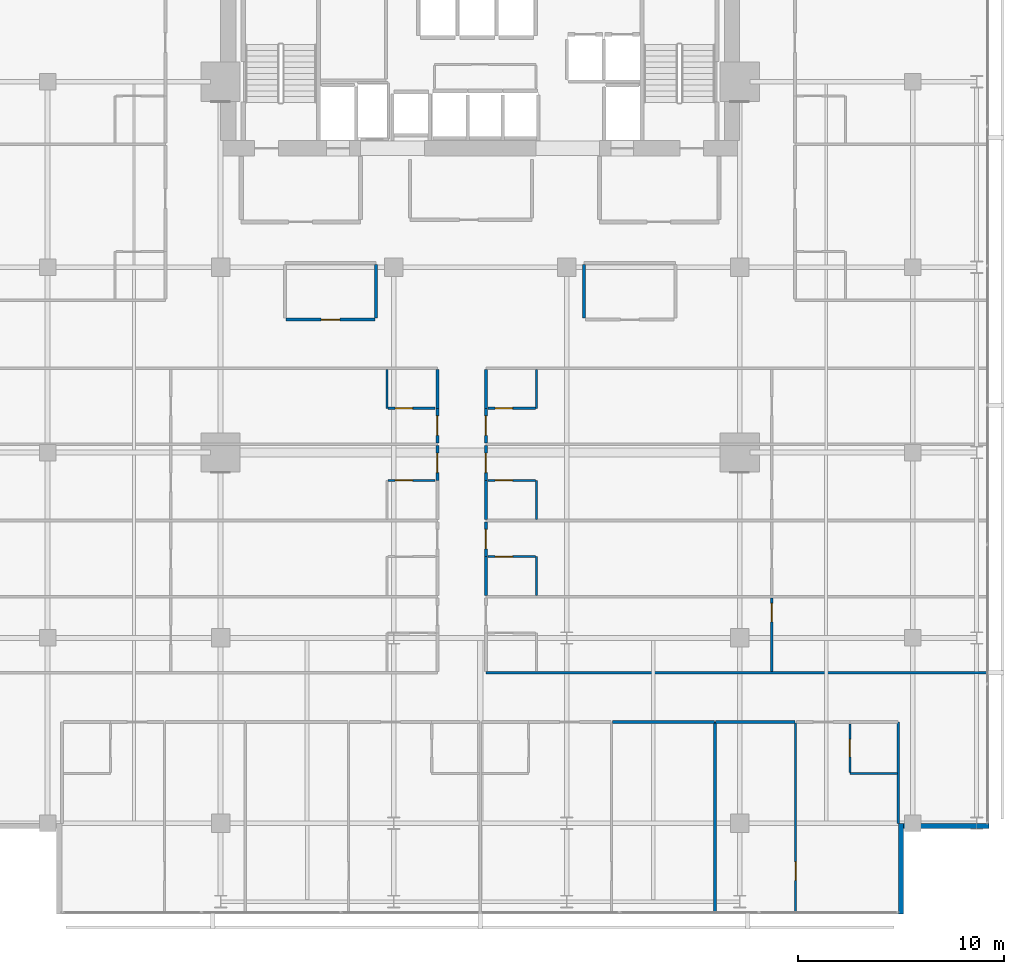
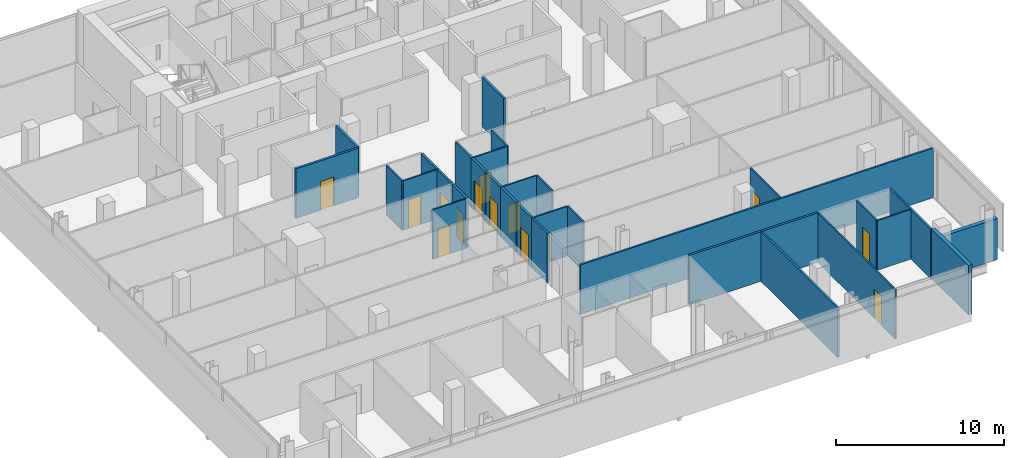
# One storey, part 28 of 34: 32 walls, 14 doors, 14 openings.
"""IFC4 building model written with IfcOpenShell, lengths in metres."""

import ifcopenshell
import ifcopenshell.guid

model = None  # the IFC model being written
_history = None  # IfcOwnerHistory: only IFC2X3 demands one
_inside = {}  # id of a spatial element -> (the spatial element, [elements in it])
_under = {}  # id of a project, library or spatial element -> (it, [spatial elements below it])
_declared = {}  # id of a project -> (the project, [libraries it declares])
_typed = {}  # id of a type object -> (the type object, [elements of that type])
_made_of = {}  # id of a material, layer set ... -> (it, [elements and type objects made of it])


def new_model(schema):
    """Start an empty IFC model of exactly this schema.

    Asked for "IFC4X3", IfcOpenShell would pick the latest addendum, in which some entities
    have other attributes; the version numbers below select the first issue.
    IFC2X3 requires an IfcOwnerHistory on every rooted entity: one is made here for all.
    """
    global model, _history
    if schema == "IFC4X3":
        model = ifcopenshell.file(schema_version=(4, 3, 0, 0))
    else:
        model = ifcopenshell.file(schema=schema)
    _inside.clear()
    _under.clear()
    _declared.clear()
    _typed.clear()
    _made_of.clear()
    _history = None
    if model.schema == "IFC2X3":
        org = make("IfcOrganization", Name="unknown")
        user = make(
            "IfcPersonAndOrganization",
            ThePerson=make("IfcPerson", FamilyName="unknown"),
            TheOrganization=org,
        )
        app = make(
            "IfcApplication",
            ApplicationDeveloper=org,
            Version="unknown",
            ApplicationFullName="unknown",
            ApplicationIdentifier="unknown",
        )
        _history = make(
            "IfcOwnerHistory",
            OwningUser=user,
            OwningApplication=app,
            ChangeAction="ADDED",
            CreationDate=0,
        )
    return model


def make(cls, **values):
    """One entity of the class cls with the attributes given. An attribute that is None is left unset."""
    return model.create_entity(
        cls, **{name: value for name, value in values.items() if value is not None}
    )


def rooted(cls, **values):
    """An entity with a GlobalId (a new one), such as an element, a storey or a relation."""
    return make(cls, GlobalId=ifcopenshell.guid.new(), OwnerHistory=_history, **values)


def si_unit(unit_type, name, prefix=None):
    """IfcSIUnit, for example si_unit("LENGTHUNIT", "METRE", prefix="MILLI")."""
    return make("IfcSIUnit", UnitType=unit_type, Prefix=prefix, Name=name)


def assignment(units):
    """IfcUnitAssignment: the units of a project."""
    return None if units is None else make("IfcUnitAssignment", Units=units)


def point(xyz):
    """IfcCartesianPoint."""
    return None if xyz is None else make("IfcCartesianPoint", Coordinates=xyz)


def direction(xyz):
    """IfcDirection."""
    return None if xyz is None else make("IfcDirection", DirectionRatios=xyz)


def frame(location, z_axis=None, x_axis=None):
    """IfcAxis2Placement3D, a coordinate frame: its origin and axes. An axis left out is left unset."""
    return make(
        "IfcAxis2Placement3D",
        Location=point(location),
        Axis=direction(z_axis),
        RefDirection=direction(x_axis),
    )


def frame_2d(location, x_axis=None):
    """IfcAxis2Placement2D, a coordinate frame in the plane: its origin and x axis."""
    return make(
        "IfcAxis2Placement2D", Location=point(location), RefDirection=direction(x_axis)
    )


def origin():
    """The frame at (0, 0, 0) with its axes left unset."""
    return frame((0.0, 0.0, 0.0))


def place(relative_to, where):
    """IfcLocalPlacement: puts the frame where relative to a parent placement (None: the world)."""
    return make(
        "IfcLocalPlacement", PlacementRelTo=relative_to, RelativePlacement=where
    )


def context(
    kind, dimensions, precision=None, world=None, true_north=None, identifier=None
):
    """IfcGeometricRepresentationContext, for example the 3D "Model" context."""
    return make(
        "IfcGeometricRepresentationContext",
        ContextIdentifier=identifier,
        ContextType=kind,
        CoordinateSpaceDimension=dimensions,
        Precision=precision,
        WorldCoordinateSystem=world,
        TrueNorth=true_north,
    )


def subcontext(parent, identifier, kind, view, scale=None):
    """IfcGeometricRepresentationSubContext, for example "Body" below "Model"."""
    return make(
        "IfcGeometricRepresentationSubContext",
        ContextIdentifier=identifier,
        ContextType=kind,
        ParentContext=parent,
        TargetScale=scale,
        TargetView=view,
    )


def project(units=None, contexts=None):
    """IfcProject with its units and contexts."""
    return rooted(
        "IfcProject",
        Name="project",
        RepresentationContexts=contexts,
        UnitsInContext=assignment(units),
    )


def spatial(cls, under=None, at=None, **own):
    """A site, building, storey or space (cls), placed at a placement, below another one or the project."""
    s = rooted(cls, ObjectPlacement=at, **own)
    if under is not None:
        _under.setdefault(under.id(), (under, []))[1].append(s)
    return s


def profile(cls, at=None, kind="AREA", **sizes):
    """A parametric profile (cls). Its sizes go by their IFC names, for example OverallWidth=200.0."""
    return make(cls, ProfileType=kind, Position=at, **sizes)


def rectangle(**sizes):
    """IfcRectangleProfileDef."""
    return profile("IfcRectangleProfileDef", **sizes)


def extrude(swept, where, along, depth):
    """IfcExtrudedAreaSolid: the profile swept, set in the frame where, extruded along a direction by depth."""
    return make(
        "IfcExtrudedAreaSolid",
        SweptArea=swept,
        Position=where,
        ExtrudedDirection=direction(along),
        Depth=depth,
    )


def shape(context_of_items, identifier, shape_type, items):
    """IfcShapeRepresentation: the items that make up one representation, for example the "Body"."""
    return make(
        "IfcShapeRepresentation",
        ContextOfItems=context_of_items,
        RepresentationIdentifier=identifier,
        RepresentationType=shape_type,
        Items=items,
    )


def material(Name=None, Category=None):
    """IfcMaterial."""
    return make("IfcMaterial", Name=Name, Category=Category)


def layer(
    of_material, thickness, ventilated=None, Name=None, Category=None, Priority=None
):
    """IfcMaterialLayer: one layer of a wall or slab, of a material (None: an air gap)."""
    return make(
        "IfcMaterialLayer",
        Material=of_material,
        LayerThickness=thickness,
        IsVentilated=ventilated,
        Name=Name,
        Category=Category,
        Priority=Priority,
    )


def layer_set(layers, Name=None):
    """IfcMaterialLayerSet."""
    return make("IfcMaterialLayerSet", MaterialLayers=layers, LayerSetName=Name)


def made_of(thing, what):
    """Note that an element or type object is made of a material, layer set ...; save() writes the relation."""
    if what is not None:
        _made_of.setdefault(what.id(), (what, []))[1].append(thing)
    return thing


def type_object(cls, material=None, **own):
    """A type object (cls), such as IfcWallType, which elements share."""
    return made_of(rooted(cls, **own), material)


def element(
    cls,
    number,
    at=None,
    inside=None,
    cuts=None,
    type_object=None,
    material=None,
    context=None,
    identifier="Body",
    shape_type=None,
    held_by="IfcProductDefinitionShape",
    body=None,
    shapes=None,
    **own,
):
    """One element of the class cls, such as IfcWall. Its Tag is "e" and its number.

    at: its placement. inside: the storey or other place that contains it. cuts: it is an
    opening in that element (IfcRelVoidsElement). A single representation is given by context,
    identifier, shape_type and body (its items); several are given by shapes. held_by: the class
    of the entity that holds the representations. save() writes the other relations.
    """
    e = rooted(cls, Tag="e%d" % number, ObjectPlacement=at, **own)
    if body is not None:
        shapes = [shape(context, identifier, shape_type, body)]
    if shapes is not None:
        e.Representation = make(held_by, Representations=shapes)
    if inside is not None:
        _inside.setdefault(inside.id(), (inside, []))[1].append(e)
    if cuts is not None:
        rooted(
            "IfcRelVoidsElement", RelatingBuildingElement=cuts, RelatedOpeningElement=e
        )
    if type_object is not None:
        _typed.setdefault(type_object.id(), (type_object, []))[1].append(e)
    return made_of(e, material)


def fill(opening, filler):
    """IfcRelFillsElement: the door or window that sits in an opening."""
    return rooted(
        "IfcRelFillsElement",
        RelatingOpeningElement=opening,
        RelatedBuildingElement=filler,
    )


def aggregate(whole, parts):
    """IfcRelAggregates: a whole, such as a stair, and the parts it consists of."""
    return rooted("IfcRelAggregates", RelatingObject=whole, RelatedObjects=parts)


def save(model, path):
    """Write the relations noted so far, then the file.

    IfcRelAggregates (storeys below a building ...), IfcRelContainedInSpatialStructure (elements
    in a storey), IfcRelDefinesByType, IfcRelAssociatesMaterial and IfcRelDeclares: one each for
    every whole, place, type object, material and project.
    """
    for whole, parts in _under.values():
        aggregate(whole, parts)
    for where, things in _inside.values():
        rooted(
            "IfcRelContainedInSpatialStructure",
            RelatedElements=things,
            RelatingStructure=where,
        )
    for kind, things in _typed.values():
        rooted("IfcRelDefinesByType", RelatedObjects=things, RelatingType=kind)
    for what, things in _made_of.values():
        rooted("IfcRelAssociatesMaterial", RelatedObjects=things, RelatingMaterial=what)
    for by, libraries in _declared.values():
        rooted("IfcRelDeclares", RelatingContext=by, RelatedDefinitions=libraries)
    model.write(path)


model = new_model("IFC4")

# Units and contexts
model_context = context("Model", 3, precision=1e-05, world=origin(), true_north=direction((0.0, 1.0)))
body_context = subcontext(model_context, "Body", "Model", "MODEL_VIEW")
ifc_project = project(units=[si_unit("LENGTHUNIT", "METRE"), si_unit("AREAUNIT", "SQUARE_METRE"), si_unit("VOLUMEUNIT", "CUBIC_METRE"), si_unit("PLANEANGLEUNIT", "RADIAN"), si_unit("MASSUNIT", "GRAM", prefix="KILO")], contexts=[model_context])

# Site, building, storey
site_placement = place(None, origin())
site = spatial("IfcSite", under=ifc_project, at=site_placement, CompositionType="ELEMENT")
building_placement = place(site_placement, origin())
building = spatial("IfcBuilding", under=site, at=building_placement, Name="Maruvema Waterfront Hotel and Observation Tower", CompositionType="ELEMENT")
storey_placement = place(building_placement, frame((0.0, 0.0, 185.14990234375)))
storey = spatial("IfcBuildingStorey", under=building, at=storey_placement, Name="L45", CompositionType="ELEMENT", Elevation=185.14990234375)

# Wall
ifc_material_1 = material(Name="Twin-stud acoustic gypsum drywall", Category="gypsum")
ifc_layer_1 = layer(ifc_material_1, 0.14990234375, Name="Acoustic Corridor and Suite Demising Wall 150 mm")
ifc_layer_set_1 = layer_set([ifc_layer_1], Name="Twin-stud acoustic gypsum drywall")
wall_type_1 = type_object("IfcWallType", Name="Acoustic Corridor and Suite Demising Wall 150 mm", PredefinedType="PARTITIONING", material=ifc_layer_set_1)
wall_1_placement = place(storey_placement, frame((32.75, 33.530029296875, 0.0), z_axis=(0.0, 0.0, 1.0), x_axis=(0.0, 1.0, 0.0)))
element("IfcWall", 1, at=wall_1_placement, inside=storey, type_object=wall_type_1, Name="L45 L45-M1 East Wall 023", PredefinedType="PARTITIONING", context=body_context, shape_type="SweptSolid", body=[
    extrude(rectangle(XDim=2.590087890625, YDim=0.14990234375, at=frame_2d((1.294921875, 0.0))), origin(), (0.0, 0.0, 1.0), 3.610107421875),
])

# Wall, opening, door
wall_2_placement = place(storey_placement, frame((28.3798828125, 33.449951171875, 0.0), z_axis=(0.0, 0.0, 1.0), x_axis=(1.0, 0.0, 0.0)))
wall_2 = element("IfcWall", 2, at=wall_2_placement, inside=storey, type_object=wall_type_1, Name="L45 L45-M1 Front 1 024", PredefinedType="PARTITIONING", context=body_context, shape_type="SweptSolid", body=[
    extrude(rectangle(XDim=4.31005859375, YDim=0.14990234375, at=frame_2d((2.155029296875, 0.0))), origin(), (0.0, 0.0, 1.0), 3.610107421875),
])
opening_1_placement = place(wall_2_placement, frame((1.705078125, 0.0, 0.0)))
opening_1 = element("IfcOpeningElement", 3, at=opening_1_placement, cuts=wall_2, Name="Opening DR-090", PredefinedType="OPENING", context=body_context, shape_type="SweptSolid", body=[
    extrude(rectangle(XDim=0.89990234375, YDim=2.10009765625, at=frame_2d((0.449951171875, 1.050048828125))), frame((0.0, 0.0849609375, 0.0), z_axis=(0.0, -1.0, 0.0), x_axis=(1.0, 0.0, 0.0)), (0.0, 0.0, 1.0), 0.169921875),
])
ifc_material_2 = material(Name="Solid-core lacquered timber leaf", Category="wood")
door_type_1 = type_object("IfcDoorType", Name="Accessible Toilet and Room Door 900x2100 mm", OperationType="NOTDEFINED", PredefinedType="DOOR", material=ifc_material_2)
door_1_placement = place(opening_1_placement, frame((0.89990234375, 0.0, 0.0), z_axis=(0.0, 0.0, 1.0), x_axis=(-1.0, 0.0, 0.0)))
door_1 = element("IfcDoor", 4, at=door_1_placement, inside=storey, type_object=door_type_1, Name="L45 Library Lounge 1 Door", OperationType="SINGLE_SWING_LEFT", OverallHeight=2.10009765625, OverallWidth=0.89990234375, PredefinedType="DOOR", context=body_context, shape_type="SweptSolid", body=[
    extrude(rectangle(XDim=0.89990234375, YDim=2.10009765625, at=frame_2d((0.449951171875, 1.050048828125))), frame((0.0, 0.02490234375, 0.0), z_axis=(0.0, -1.0, 0.0), x_axis=(1.0, 0.0, 0.0)), (0.0, 0.0, 1.0), 0.050048828125),
])
fill(opening_1, door_1)

# Walls
wall_3_placement = place(storey_placement, frame((42.85009765625, 33.530029296875, 0.0), z_axis=(0.0, 0.0, 1.0), x_axis=(0.0, 1.0, 0.0)))
element("IfcWall", 5, at=wall_3_placement, inside=storey, type_object=wall_type_1, Name="L45 L45-M2 West Wall 026", PredefinedType="PARTITIONING", context=body_context, shape_type="SweptSolid", body=[
    extrude(rectangle(XDim=2.590087890625, YDim=0.14990234375, at=frame_2d((1.294921875, 0.0))), origin(), (0.0, 0.0, 1.0), 3.610107421875),
])
wall_4_placement = place(storey_placement, frame((44.22412109375, 13.919921875, 0.0), z_axis=(0.0, 0.0, 1.0), x_axis=(1.0, 0.0, 0.0)))
element("IfcWall", 6, at=wall_4_placement, inside=storey, type_object=wall_type_1, Name="L45 Bedroom L45-S3 Back Wall 049", PredefinedType="PARTITIONING", context=body_context, shape_type="SweptSolid", body=[
    extrude(rectangle(XDim=4.955810546875, YDim=0.14990234375, at=frame_2d((2.47802734375, 0.0))), origin(), (0.0, 0.0, 1.0), 3.610107421875),
])
wall_5_placement = place(storey_placement, frame((49.219970703125, 13.919921875, 0.0), z_axis=(0.0, 0.0, 1.0), x_axis=(1.0, 0.0, 0.0)))
element("IfcWall", 7, at=wall_5_placement, inside=storey, type_object=wall_type_1, Name="L45 Bedroom L45-S4 Back Wall 055", PredefinedType="PARTITIONING", context=body_context, shape_type="SweptSolid", body=[
    extrude(rectangle(XDim=3.85595703125, YDim=0.14990234375, at=frame_2d((1.927978515625, 0.0))), origin(), (0.0, 0.0, 1.0), 3.610107421875),
])
wall_6_placement = place(storey_placement, frame((38.080078125, 20.06005859375, 0.0), z_axis=(0.0, 0.0, 1.0), x_axis=(0.0, 1.0, 0.0)))
element("IfcWall", 8, at=wall_6_placement, inside=storey, type_object=wall_type_1, Name="L45 Bath L45-E2 Wall 079", PredefinedType="PARTITIONING", context=body_context, shape_type="SweptSolid", body=[
    extrude(rectangle(XDim=1.889892578125, YDim=0.14990234375, at=frame_2d((0.94482421875, 0.0))), origin(), (0.0, 0.0, 1.0), 3.610107421875),
])

# Wall, opening, door
wall_7_placement = place(storey_placement, frame((38.080078125, 21.949951171875, 0.0), z_axis=(0.0, 0.0, 1.0), x_axis=(0.0, 1.0, 0.0)))
wall_7 = element("IfcWall", 9, at=wall_7_placement, inside=storey, type_object=wall_type_1, Name="L45 Room L45-E2 Corridor Wall 080", PredefinedType="PARTITIONING", context=body_context, shape_type="SweptSolid", body=[
    extrude(rectangle(XDim=1.68994140625, YDim=0.14990234375, at=frame_2d((0.844970703125, 0.0))), origin(), (0.0, 0.0, 1.0), 3.610107421875),
])
opening_2_placement = place(wall_7_placement, frame((0.3701171875, 0.0, 0.0)))
opening_2 = element("IfcOpeningElement", 10, at=opening_2_placement, cuts=wall_7, Name="Opening DR-095", PredefinedType="OPENING", context=body_context, shape_type="SweptSolid", body=[
    extrude(rectangle(XDim=0.949951171875, YDim=2.14990234375, at=frame_2d((0.47509765625, 1.074951171875))), frame((0.0, 0.0849609375, 0.0), z_axis=(0.0, -1.0, 0.0), x_axis=(1.0, 0.0, 0.0)), (0.0, 0.0, 1.0), 0.169921875),
])
ifc_material_3 = material(Name="Acoustic solid-core hardwood timber leaf", Category="wood")
door_type_2 = type_object("IfcDoorType", Name="Guestroom Entrance Fire Door 950x2150 mm", OperationType="NOTDEFINED", PredefinedType="DOOR", material=ifc_material_3)
door_2_placement = place(opening_2_placement, frame((0.949951171875, 0.0, 0.0), z_axis=(0.0, 0.0, 1.0), x_axis=(-1.0, 0.0, 0.0)))
door_2 = element("IfcDoor", 11, at=door_2_placement, inside=storey, type_object=door_type_2, Name="L45 Room L45-E2 Entrance Door", OperationType="SINGLE_SWING_LEFT", OverallHeight=2.14990234375, OverallWidth=0.949951171875, PredefinedType="DOOR", context=body_context, shape_type="SweptSolid", body=[
    extrude(rectangle(XDim=0.949951171875, YDim=2.14990234375, at=frame_2d((0.47509765625, 1.074951171875))), frame((0.0, 0.02490234375, 0.0), z_axis=(0.0, -1.0, 0.0), x_axis=(1.0, 0.0, 0.0)), (0.0, 0.0, 1.0), 0.050048828125),
])
fill(opening_2, door_2)

wall_8_placement = place(storey_placement, frame((35.719970703125, 25.64990234375, 0.0), z_axis=(0.0, 0.0, 1.0), x_axis=(0.0, 1.0, 0.0)))
wall_8 = element("IfcWall", 12, at=wall_8_placement, inside=storey, type_object=wall_type_1, Name="L45 Room L45-W3 Corridor Wall 087", PredefinedType="PARTITIONING", context=body_context, shape_type="SweptSolid", body=[
    extrude(rectangle(XDim=1.690185546875, YDim=0.14990234375, at=frame_2d((0.84521484375, 0.0))), origin(), (0.0, 0.0, 1.0), 3.610107421875),
])
opening_3_placement = place(wall_8_placement, frame((0.3701171875, 0.0, 0.0)))
opening_3 = element("IfcOpeningElement", 13, at=opening_3_placement, cuts=wall_8, Name="Opening DR-095", PredefinedType="OPENING", context=body_context, shape_type="SweptSolid", body=[
    extrude(rectangle(XDim=0.949951171875, YDim=2.14990234375, at=frame_2d((0.47509765625, 1.074951171875))), frame((0.0, 0.0849609375, 0.0), z_axis=(0.0, -1.0, 0.0), x_axis=(1.0, 0.0, 0.0)), (0.0, 0.0, 1.0), 0.169921875),
])
door_3_placement = place(opening_3_placement, origin())
door_3 = element("IfcDoor", 14, at=door_3_placement, inside=storey, type_object=door_type_2, Name="L45 Room L45-W3 Entrance Door", OperationType="SINGLE_SWING_RIGHT", OverallHeight=2.14990234375, OverallWidth=0.949951171875, PredefinedType="DOOR", context=body_context, shape_type="SweptSolid", body=[
    extrude(rectangle(XDim=0.949951171875, YDim=2.14990234375, at=frame_2d((0.47509765625, 1.074951171875))), frame((0.0, 0.02490234375, 0.0), z_axis=(0.0, -1.0, 0.0), x_axis=(1.0, 0.0, 0.0)), (0.0, 0.0, 1.0), 0.050048828125),
])
fill(opening_3, door_3)

# Wall
wall_9_placement = place(storey_placement, frame((38.080078125, 23.760009765625, 0.0), z_axis=(0.0, 0.0, 1.0), x_axis=(0.0, 1.0, 0.0)))
element("IfcWall", 15, at=wall_9_placement, inside=storey, type_object=wall_type_1, Name="L45 Bath L45-E3 Wall 091", PredefinedType="PARTITIONING", context=body_context, shape_type="SweptSolid", body=[
    extrude(rectangle(XDim=1.889892578125, YDim=0.14990234375, at=frame_2d((0.94482421875, 0.0))), origin(), (0.0, 0.0, 1.0), 3.610107421875),
])

# Wall, opening, door
wall_10_placement = place(storey_placement, frame((38.080078125, 25.64990234375, 0.0), z_axis=(0.0, 0.0, 1.0), x_axis=(0.0, 1.0, 0.0)))
wall_10 = element("IfcWall", 16, at=wall_10_placement, inside=storey, type_object=wall_type_1, Name="L45 Room L45-E3 Corridor Wall 092", PredefinedType="PARTITIONING", context=body_context, shape_type="SweptSolid", body=[
    extrude(rectangle(XDim=1.690185546875, YDim=0.14990234375, at=frame_2d((0.84521484375, 0.0))), origin(), (0.0, 0.0, 1.0), 3.610107421875),
])
opening_4_placement = place(wall_10_placement, frame((0.3701171875, 0.0, 0.0)))
opening_4 = element("IfcOpeningElement", 17, at=opening_4_placement, cuts=wall_10, Name="Opening DR-095", PredefinedType="OPENING", context=body_context, shape_type="SweptSolid", body=[
    extrude(rectangle(XDim=0.949951171875, YDim=2.14990234375, at=frame_2d((0.47509765625, 1.074951171875))), frame((0.0, 0.0849609375, 0.0), z_axis=(0.0, -1.0, 0.0), x_axis=(1.0, 0.0, 0.0)), (0.0, 0.0, 1.0), 0.169921875),
])
door_4_placement = place(opening_4_placement, frame((0.949951171875, 0.0, 0.0), z_axis=(0.0, 0.0, 1.0), x_axis=(-1.0, 0.0, 0.0)))
door_4 = element("IfcDoor", 18, at=door_4_placement, inside=storey, type_object=door_type_2, Name="L45 Room L45-E3 Entrance Door", OperationType="SINGLE_SWING_LEFT", OverallHeight=2.14990234375, OverallWidth=0.949951171875, PredefinedType="DOOR", context=body_context, shape_type="SweptSolid", body=[
    extrude(rectangle(XDim=0.949951171875, YDim=2.14990234375, at=frame_2d((0.47509765625, 1.074951171875))), frame((0.0, 0.02490234375, 0.0), z_axis=(0.0, -1.0, 0.0), x_axis=(1.0, 0.0, 0.0)), (0.0, 0.0, 1.0), 0.050048828125),
])
fill(opening_4, door_4)

wall_11_placement = place(storey_placement, frame((35.719970703125, 27.4599609375, 0.0), z_axis=(0.0, 0.0, 1.0), x_axis=(0.0, 1.0, 0.0)))
wall_11 = element("IfcWall", 19, at=wall_11_placement, inside=storey, type_object=wall_type_1, Name="L45 Room L45-W4 Corridor Wall 098", PredefinedType="PARTITIONING", context=body_context, shape_type="SweptSolid", body=[
    extrude(rectangle(XDim=1.68994140625, YDim=0.14990234375, at=frame_2d((0.844970703125, 0.0))), origin(), (0.0, 0.0, 1.0), 3.610107421875),
])
opening_5_placement = place(wall_11_placement, frame((0.3701171875, 0.0, 0.0)))
opening_5 = element("IfcOpeningElement", 20, at=opening_5_placement, cuts=wall_11, Name="Opening DR-095", PredefinedType="OPENING", context=body_context, shape_type="SweptSolid", body=[
    extrude(rectangle(XDim=0.949951171875, YDim=2.14990234375, at=frame_2d((0.47509765625, 1.074951171875))), frame((0.0, 0.0849609375, 0.0), z_axis=(0.0, -1.0, 0.0), x_axis=(1.0, 0.0, 0.0)), (0.0, 0.0, 1.0), 0.169921875),
])
door_5_placement = place(opening_5_placement, origin())
door_5 = element("IfcDoor", 21, at=door_5_placement, inside=storey, type_object=door_type_2, Name="L45 Room L45-W4 Entrance Door", OperationType="SINGLE_SWING_RIGHT", OverallHeight=2.14990234375, OverallWidth=0.949951171875, PredefinedType="DOOR", context=body_context, shape_type="SweptSolid", body=[
    extrude(rectangle(XDim=0.949951171875, YDim=2.14990234375, at=frame_2d((0.47509765625, 1.074951171875))), frame((0.0, 0.02490234375, 0.0), z_axis=(0.0, -1.0, 0.0), x_axis=(1.0, 0.0, 0.0)), (0.0, 0.0, 1.0), 0.050048828125),
])
fill(opening_5, door_5)

# Wall
wall_12_placement = place(storey_placement, frame((35.719970703125, 29.14990234375, 0.0), z_axis=(0.0, 0.0, 1.0), x_axis=(0.0, 1.0, 0.0)))
element("IfcWall", 22, at=wall_12_placement, inside=storey, type_object=wall_type_1, Name="L45 Bath L45-W4 Wall 099", PredefinedType="PARTITIONING", context=body_context, shape_type="SweptSolid", body=[
    extrude(rectangle(XDim=1.89013671875, YDim=0.14990234375, at=frame_2d((0.945068359375, 0.0))), origin(), (0.0, 0.0, 1.0), 3.610107421875),
])

# Wall, opening, door
wall_13_placement = place(storey_placement, frame((38.080078125, 27.4599609375, 0.0), z_axis=(0.0, 0.0, 1.0), x_axis=(0.0, 1.0, 0.0)))
wall_13 = element("IfcWall", 23, at=wall_13_placement, inside=storey, type_object=wall_type_1, Name="L45 Room L45-E4 Corridor Wall 103", PredefinedType="PARTITIONING", context=body_context, shape_type="SweptSolid", body=[
    extrude(rectangle(XDim=1.68994140625, YDim=0.14990234375, at=frame_2d((0.844970703125, 0.0))), origin(), (0.0, 0.0, 1.0), 3.610107421875),
])
opening_6_placement = place(wall_13_placement, frame((0.3701171875, 0.0, 0.0)))
opening_6 = element("IfcOpeningElement", 24, at=opening_6_placement, cuts=wall_13, Name="Opening DR-095", PredefinedType="OPENING", context=body_context, shape_type="SweptSolid", body=[
    extrude(rectangle(XDim=0.949951171875, YDim=2.14990234375, at=frame_2d((0.47509765625, 1.074951171875))), frame((0.0, 0.0849609375, 0.0), z_axis=(0.0, -1.0, 0.0), x_axis=(1.0, 0.0, 0.0)), (0.0, 0.0, 1.0), 0.169921875),
])
door_6_placement = place(opening_6_placement, frame((0.949951171875, 0.0, 0.0), z_axis=(0.0, 0.0, 1.0), x_axis=(-1.0, 0.0, 0.0)))
door_6 = element("IfcDoor", 25, at=door_6_placement, inside=storey, type_object=door_type_2, Name="L45 Room L45-E4 Entrance Door", OperationType="SINGLE_SWING_LEFT", OverallHeight=2.14990234375, OverallWidth=0.949951171875, PredefinedType="DOOR", context=body_context, shape_type="SweptSolid", body=[
    extrude(rectangle(XDim=0.949951171875, YDim=2.14990234375, at=frame_2d((0.47509765625, 1.074951171875))), frame((0.0, 0.02490234375, 0.0), z_axis=(0.0, -1.0, 0.0), x_axis=(1.0, 0.0, 0.0)), (0.0, 0.0, 1.0), 0.050048828125),
])
fill(opening_6, door_6)

# Walls
wall_14_placement = place(storey_placement, frame((38.080078125, 29.14990234375, 0.0), z_axis=(0.0, 0.0, 1.0), x_axis=(0.0, 1.0, 0.0)))
element("IfcWall", 26, at=wall_14_placement, inside=storey, type_object=wall_type_1, Name="L45 Bath L45-E4 Wall 104", PredefinedType="PARTITIONING", context=body_context, shape_type="SweptSolid", body=[
    extrude(rectangle(XDim=1.89013671875, YDim=0.14990234375, at=frame_2d((0.945068359375, 0.0))), origin(), (0.0, 0.0, 1.0), 3.610107421875),
])
ifc_material_4 = material(Name="Moisture-resistant cement-board drywall", Category="gypsum")
ifc_layer_2 = layer(ifc_material_4, 0.10009765625, Name="En-Suite Moisture-Resistant Partition 100 mm")
ifc_layer_set_2 = layer_set([ifc_layer_2], Name="Moisture-resistant cement-board drywall")
wall_type_2 = type_object("IfcWallType", Name="En-Suite Moisture-Resistant Partition 100 mm", PredefinedType="PARTITIONING", material=ifc_layer_set_2)
wall_15_placement = place(storey_placement, frame((55.75, 11.419921875, 0.0), z_axis=(0.0, 0.0, 1.0), x_axis=(1.0, 0.0, 0.0)))
element("IfcWall", 27, at=wall_15_placement, inside=storey, type_object=wall_type_2, Name="L45 En-Suite L45-S4 South 053", PredefinedType="PARTITIONING", context=body_context, shape_type="SweptSolid", body=[
    extrude(rectangle(XDim=2.31005859375, YDim=0.10009765625, at=frame_2d((1.155029296875, 0.0))), origin(), (0.0, 0.0, 1.0), 3.610107421875),
])

# Wall, opening, door
wall_16_placement = place(storey_placement, frame((55.75, 11.47998046875, 0.0), z_axis=(0.0, 0.0, 1.0), x_axis=(0.0, 1.0, 0.0)))
wall_16 = element("IfcWall", 28, at=wall_16_placement, inside=storey, type_object=wall_type_2, Name="L45 En-Suite L45-S4 West 054", PredefinedType="PARTITIONING", context=body_context, shape_type="SweptSolid", body=[
    extrude(rectangle(XDim=2.340087890625, YDim=0.10009765625, at=frame_2d((1.169921875, 0.0))), origin(), (0.0, 0.0, 1.0), 3.610107421875),
])
opening_7_placement = place(wall_16_placement, frame((0.7451171875, 0.0, 0.0)))
opening_7 = element("IfcOpeningElement", 29, at=opening_7_placement, cuts=wall_16, Name="Opening DR-085", PredefinedType="OPENING", context=body_context, shape_type="SweptSolid", body=[
    extrude(rectangle(XDim=0.85009765625, YDim=2.10009765625, at=frame_2d((0.425048828125, 1.050048828125))), frame((0.0, 0.06005859375, 0.0), z_axis=(0.0, -1.0, 0.0), x_axis=(1.0, 0.0, 0.0)), (0.0, 0.0, 1.0), 0.1201171875),
])
ifc_material_5 = material(Name="Moisture-resistant solid timber leaf", Category="wood")
door_type_3 = type_object("IfcDoorType", Name="En-Suite Bathroom Door 850x2100 mm", OperationType="NOTDEFINED", PredefinedType="DOOR", material=ifc_material_5)
door_7_placement = place(opening_7_placement, origin())
door_7 = element("IfcDoor", 30, at=door_7_placement, inside=storey, type_object=door_type_3, Name="L45 En-Suite L45-S4 Door", OperationType="SINGLE_SWING_RIGHT", OverallHeight=2.10009765625, OverallWidth=0.85009765625, PredefinedType="DOOR", context=body_context, shape_type="SweptSolid", body=[
    extrude(rectangle(XDim=0.85009765625, YDim=2.10009765625, at=frame_2d((0.425048828125, 1.050048828125))), frame((0.0, 0.02490234375, 0.0), z_axis=(0.0, -1.0, 0.0), x_axis=(1.0, 0.0, 0.0)), (0.0, 0.0, 1.0), 0.050048828125),
])
fill(opening_7, door_7)

wall_17_placement = place(storey_placement, frame((53.115966796875, 4.6298828125, 0.0), z_axis=(0.0, 0.0, 1.0), x_axis=(0.0, 1.0, 0.0)))
wall_17 = element("IfcWall", 31, at=wall_17_placement, inside=storey, type_object=wall_type_2, Name="L45 Suite L45-S4 Split 057", PredefinedType="PARTITIONING", context=body_context, shape_type="SweptSolid", body=[
    extrude(rectangle(XDim=9.230224609375, YDim=0.10009765625, at=frame_2d((4.615234375, 0.0))), origin(), (0.0, 0.0, 1.0), 3.610107421875),
])
opening_8_placement = place(wall_17_placement, frame((1.60009765625, 0.0, 0.0)))
opening_8 = element("IfcOpeningElement", 32, at=opening_8_placement, cuts=wall_17, Name="Opening DR-090", PredefinedType="OPENING", context=body_context, shape_type="SweptSolid", body=[
    extrude(rectangle(XDim=0.89990234375, YDim=2.10009765625, at=frame_2d((0.449951171875, 1.050048828125))), frame((0.0, 0.06005859375, 0.0), z_axis=(0.0, -1.0, 0.0), x_axis=(1.0, 0.0, 0.0)), (0.0, 0.0, 1.0), 0.1201171875),
])
door_8_placement = place(opening_8_placement, frame((0.89990234375, 0.0, 0.0), z_axis=(0.0, 0.0, 1.0), x_axis=(-1.0, 0.0, 0.0)))
door_8 = element("IfcDoor", 33, at=door_8_placement, inside=storey, type_object=door_type_1, Name="L45 Suite L45-S4 Bedroom Door", OperationType="SINGLE_SWING_RIGHT", OverallHeight=2.10009765625, OverallWidth=0.89990234375, PredefinedType="DOOR", context=body_context, shape_type="SweptSolid", body=[
    extrude(rectangle(XDim=0.89990234375, YDim=2.10009765625, at=frame_2d((0.449951171875, 1.050048828125))), frame((0.0, 0.02490234375, 0.0), z_axis=(0.0, -1.0, 0.0), x_axis=(1.0, 0.0, 0.0)), (0.0, 0.0, 1.0), 0.050048828125),
])
fill(opening_8, door_8)

wall_18_placement = place(storey_placement, frame((51.954345703125, 16.360107421875, 0.0), z_axis=(0.0, 0.0, 1.0), x_axis=(0.0, 1.0, 0.0)))
wall_18 = element("IfcWall", 34, at=wall_18_placement, inside=storey, type_object=wall_type_2, Name="L45 Suite L45-E1 Split 071", PredefinedType="PARTITIONING", context=body_context, shape_type="SweptSolid", body=[
    extrude(rectangle(XDim=3.579833984375, YDim=0.10009765625, at=frame_2d((1.7900390625, 0.0))), origin(), (0.0, 0.0, 1.0), 3.610107421875),
])
opening_9_placement = place(wall_18_placement, frame((2.419921875, 0.0, 0.0)))
opening_9 = element("IfcOpeningElement", 35, at=opening_9_placement, cuts=wall_18, Name="Opening DR-090", PredefinedType="OPENING", context=body_context, shape_type="SweptSolid", body=[
    extrude(rectangle(XDim=0.89990234375, YDim=2.10009765625, at=frame_2d((0.449951171875, 1.050048828125))), frame((0.0, 0.06005859375, 0.0), z_axis=(0.0, -1.0, 0.0), x_axis=(1.0, 0.0, 0.0)), (0.0, 0.0, 1.0), 0.1201171875),
])
door_9_placement = place(opening_9_placement, frame((0.89990234375, 0.0, 0.0), z_axis=(0.0, 0.0, 1.0), x_axis=(-1.0, 0.0, 0.0)))
door_9 = element("IfcDoor", 36, at=door_9_placement, inside=storey, type_object=door_type_1, Name="L45 Suite L45-E1 Bedroom Door", OperationType="SINGLE_SWING_RIGHT", OverallHeight=2.10009765625, OverallWidth=0.89990234375, PredefinedType="DOOR", context=body_context, shape_type="SweptSolid", body=[
    extrude(rectangle(XDim=0.89990234375, YDim=2.10009765625, at=frame_2d((0.449951171875, 1.050048828125))), frame((0.0, 0.02490234375, 0.0), z_axis=(0.0, -1.0, 0.0), x_axis=(1.0, 0.0, 0.0)), (0.0, 0.0, 1.0), 0.050048828125),
])
fill(opening_9, door_9)

# Wall
wall_19_placement = place(storey_placement, frame((40.530029296875, 20.06005859375, 0.0), z_axis=(0.0, 0.0, 1.0), x_axis=(0.0, 1.0, 0.0)))
element("IfcWall", 37, at=wall_19_placement, inside=storey, type_object=wall_type_2, Name="L45 En-Suite L45-E2 E 081", PredefinedType="PARTITIONING", context=body_context, shape_type="SweptSolid", body=[
    extrude(rectangle(XDim=1.889892578125, YDim=0.10009765625, at=frame_2d((0.94482421875, 0.0))), origin(), (0.0, 0.0, 1.0), 3.610107421875),
])

# Wall, opening, door
wall_20_placement = place(storey_placement, frame((38.179931640625, 21.949951171875, 0.0), z_axis=(0.0, 0.0, 1.0), x_axis=(1.0, 0.0, 0.0)))
wall_20 = element("IfcWall", 38, at=wall_20_placement, inside=storey, type_object=wall_type_2, Name="L45 En-Suite L45-E2 N 082", PredefinedType="PARTITIONING", context=body_context, shape_type="SweptSolid", body=[
    extrude(rectangle(XDim=2.300048828125, YDim=0.10009765625, at=frame_2d((1.14990234375, 0.0))), origin(), (0.0, 0.0, 1.0), 3.610107421875),
])
opening_10_placement = place(wall_20_placement, frame((0.35009765625, 0.0, 0.0)))
opening_10 = element("IfcOpeningElement", 39, at=opening_10_placement, cuts=wall_20, Name="Opening DR-085", PredefinedType="OPENING", context=body_context, shape_type="SweptSolid", body=[
    extrude(rectangle(XDim=0.85009765625, YDim=2.10009765625, at=frame_2d((0.425048828125, 1.050048828125))), frame((0.0, 0.06005859375, 0.0), z_axis=(0.0, -1.0, 0.0), x_axis=(1.0, 0.0, 0.0)), (0.0, 0.0, 1.0), 0.1201171875),
])
door_10_placement = place(opening_10_placement, origin())
door_10 = element("IfcDoor", 40, at=door_10_placement, inside=storey, type_object=door_type_3, Name="L45 En-Suite L45-E2 Door", OperationType="SINGLE_SWING_RIGHT", OverallHeight=2.10009765625, OverallWidth=0.85009765625, PredefinedType="DOOR", context=body_context, shape_type="SweptSolid", body=[
    extrude(rectangle(XDim=0.85009765625, YDim=2.10009765625, at=frame_2d((0.425048828125, 1.050048828125))), frame((0.0, 0.02490234375, 0.0), z_axis=(0.0, -1.0, 0.0), x_axis=(1.0, 0.0, 0.0)), (0.0, 0.0, 1.0), 0.050048828125),
])
fill(opening_10, door_10)

wall_21_placement = place(storey_placement, frame((33.320068359375, 25.64990234375, 0.0), z_axis=(0.0, 0.0, 1.0), x_axis=(1.0, 0.0, 0.0)))
wall_21 = element("IfcWall", 41, at=wall_21_placement, inside=storey, type_object=wall_type_2, Name="L45 En-Suite L45-W3 N 089", PredefinedType="PARTITIONING", context=body_context, shape_type="SweptSolid", body=[
    extrude(rectangle(XDim=2.300048828125, YDim=0.10009765625, at=frame_2d((1.14990234375, 0.0))), origin(), (0.0, 0.0, 1.0), 3.610107421875),
])
opening_11_placement = place(wall_21_placement, frame((0.35009765625, 0.0, 0.0)))
opening_11 = element("IfcOpeningElement", 42, at=opening_11_placement, cuts=wall_21, Name="Opening DR-085", PredefinedType="OPENING", context=body_context, shape_type="SweptSolid", body=[
    extrude(rectangle(XDim=0.85009765625, YDim=2.10009765625, at=frame_2d((0.425048828125, 1.050048828125))), frame((0.0, 0.06005859375, 0.0), z_axis=(0.0, -1.0, 0.0), x_axis=(1.0, 0.0, 0.0)), (0.0, 0.0, 1.0), 0.1201171875),
])
door_11_placement = place(opening_11_placement, origin())
door_11 = element("IfcDoor", 43, at=door_11_placement, inside=storey, type_object=door_type_3, Name="L45 En-Suite L45-W3 Door", OperationType="SINGLE_SWING_LEFT", OverallHeight=2.10009765625, OverallWidth=0.85009765625, PredefinedType="DOOR", context=body_context, shape_type="SweptSolid", body=[
    extrude(rectangle(XDim=0.85009765625, YDim=2.10009765625, at=frame_2d((0.425048828125, 1.050048828125))), frame((0.0, 0.02490234375, 0.0), z_axis=(0.0, -1.0, 0.0), x_axis=(1.0, 0.0, 0.0)), (0.0, 0.0, 1.0), 0.050048828125),
])
fill(opening_11, door_11)

# Wall
wall_22_placement = place(storey_placement, frame((40.530029296875, 23.760009765625, 0.0), z_axis=(0.0, 0.0, 1.0), x_axis=(0.0, 1.0, 0.0)))
element("IfcWall", 44, at=wall_22_placement, inside=storey, type_object=wall_type_2, Name="L45 En-Suite L45-E3 E 093", PredefinedType="PARTITIONING", context=body_context, shape_type="SweptSolid", body=[
    extrude(rectangle(XDim=1.889892578125, YDim=0.10009765625, at=frame_2d((0.94482421875, 0.0))), origin(), (0.0, 0.0, 1.0), 3.610107421875),
])

# Wall, opening, door
wall_23_placement = place(storey_placement, frame((38.179931640625, 25.64990234375, 0.0), z_axis=(0.0, 0.0, 1.0), x_axis=(1.0, 0.0, 0.0)))
wall_23 = element("IfcWall", 45, at=wall_23_placement, inside=storey, type_object=wall_type_2, Name="L45 En-Suite L45-E3 N 094", PredefinedType="PARTITIONING", context=body_context, shape_type="SweptSolid", body=[
    extrude(rectangle(XDim=2.300048828125, YDim=0.10009765625, at=frame_2d((1.14990234375, 0.0))), origin(), (0.0, 0.0, 1.0), 3.610107421875),
])
opening_12_placement = place(wall_23_placement, frame((0.35009765625, 0.0, 0.0)))
opening_12 = element("IfcOpeningElement", 46, at=opening_12_placement, cuts=wall_23, Name="Opening DR-085", PredefinedType="OPENING", context=body_context, shape_type="SweptSolid", body=[
    extrude(rectangle(XDim=0.85009765625, YDim=2.10009765625, at=frame_2d((0.425048828125, 1.050048828125))), frame((0.0, 0.06005859375, 0.0), z_axis=(0.0, -1.0, 0.0), x_axis=(1.0, 0.0, 0.0)), (0.0, 0.0, 1.0), 0.1201171875),
])
door_12_placement = place(opening_12_placement, origin())
door_12 = element("IfcDoor", 47, at=door_12_placement, inside=storey, type_object=door_type_3, Name="L45 En-Suite L45-E3 Door", OperationType="SINGLE_SWING_RIGHT", OverallHeight=2.10009765625, OverallWidth=0.85009765625, PredefinedType="DOOR", context=body_context, shape_type="SweptSolid", body=[
    extrude(rectangle(XDim=0.85009765625, YDim=2.10009765625, at=frame_2d((0.425048828125, 1.050048828125))), frame((0.0, 0.02490234375, 0.0), z_axis=(0.0, -1.0, 0.0), x_axis=(1.0, 0.0, 0.0)), (0.0, 0.0, 1.0), 0.050048828125),
])
fill(opening_12, door_12)

# Wall
wall_24_placement = place(storey_placement, frame((33.27001953125, 29.14990234375, 0.0), z_axis=(0.0, 0.0, 1.0), x_axis=(0.0, 1.0, 0.0)))
element("IfcWall", 48, at=wall_24_placement, inside=storey, type_object=wall_type_2, Name="L45 En-Suite L45-W4 W 100", PredefinedType="PARTITIONING", context=body_context, shape_type="SweptSolid", body=[
    extrude(rectangle(XDim=1.89013671875, YDim=0.10009765625, at=frame_2d((0.945068359375, 0.0))), origin(), (0.0, 0.0, 1.0), 3.610107421875),
])

# Wall, opening, door
wall_25_placement = place(storey_placement, frame((33.320068359375, 29.14990234375, 0.0), z_axis=(0.0, 0.0, 1.0), x_axis=(1.0, 0.0, 0.0)))
wall_25 = element("IfcWall", 49, at=wall_25_placement, inside=storey, type_object=wall_type_2, Name="L45 En-Suite L45-W4 S 101", PredefinedType="PARTITIONING", context=body_context, shape_type="SweptSolid", body=[
    extrude(rectangle(XDim=2.300048828125, YDim=0.10009765625, at=frame_2d((1.14990234375, 0.0))), origin(), (0.0, 0.0, 1.0), 3.610107421875),
])
opening_13_placement = place(wall_25_placement, frame((0.35009765625, 0.0, 0.0)))
opening_13 = element("IfcOpeningElement", 50, at=opening_13_placement, cuts=wall_25, Name="Opening DR-085", PredefinedType="OPENING", context=body_context, shape_type="SweptSolid", body=[
    extrude(rectangle(XDim=0.85009765625, YDim=2.10009765625, at=frame_2d((0.425048828125, 1.050048828125))), frame((0.0, 0.06005859375, 0.0), z_axis=(0.0, -1.0, 0.0), x_axis=(1.0, 0.0, 0.0)), (0.0, 0.0, 1.0), 0.1201171875),
])
door_13_placement = place(opening_13_placement, frame((0.85009765625, 0.0, 0.0), z_axis=(0.0, 0.0, 1.0), x_axis=(-1.0, 0.0, 0.0)))
door_13 = element("IfcDoor", 51, at=door_13_placement, inside=storey, type_object=door_type_3, Name="L45 En-Suite L45-W4 Door", OperationType="SINGLE_SWING_LEFT", OverallHeight=2.10009765625, OverallWidth=0.85009765625, PredefinedType="DOOR", context=body_context, shape_type="SweptSolid", body=[
    extrude(rectangle(XDim=0.85009765625, YDim=2.10009765625, at=frame_2d((0.425048828125, 1.050048828125))), frame((0.0, 0.02490234375, 0.0), z_axis=(0.0, -1.0, 0.0), x_axis=(1.0, 0.0, 0.0)), (0.0, 0.0, 1.0), 0.050048828125),
])
fill(opening_13, door_13)

# Wall
wall_26_placement = place(storey_placement, frame((40.530029296875, 29.14990234375, 0.0), z_axis=(0.0, 0.0, 1.0), x_axis=(0.0, 1.0, 0.0)))
element("IfcWall", 52, at=wall_26_placement, inside=storey, type_object=wall_type_2, Name="L45 En-Suite L45-E4 E 105", PredefinedType="PARTITIONING", context=body_context, shape_type="SweptSolid", body=[
    extrude(rectangle(XDim=1.89013671875, YDim=0.10009765625, at=frame_2d((0.945068359375, 0.0))), origin(), (0.0, 0.0, 1.0), 3.610107421875),
])

# Wall, opening, door
wall_27_placement = place(storey_placement, frame((38.179931640625, 29.14990234375, 0.0), z_axis=(0.0, 0.0, 1.0), x_axis=(1.0, 0.0, 0.0)))
wall_27 = element("IfcWall", 53, at=wall_27_placement, inside=storey, type_object=wall_type_2, Name="L45 En-Suite L45-E4 S 106", PredefinedType="PARTITIONING", context=body_context, shape_type="SweptSolid", body=[
    extrude(rectangle(XDim=2.300048828125, YDim=0.10009765625, at=frame_2d((1.14990234375, 0.0))), origin(), (0.0, 0.0, 1.0), 3.610107421875),
])
opening_14_placement = place(wall_27_placement, frame((0.35009765625, 0.0, 0.0)))
opening_14 = element("IfcOpeningElement", 54, at=opening_14_placement, cuts=wall_27, Name="Opening DR-085", PredefinedType="OPENING", context=body_context, shape_type="SweptSolid", body=[
    extrude(rectangle(XDim=0.85009765625, YDim=2.10009765625, at=frame_2d((0.425048828125, 1.050048828125))), frame((0.0, 0.06005859375, 0.0), z_axis=(0.0, -1.0, 0.0), x_axis=(1.0, 0.0, 0.0)), (0.0, 0.0, 1.0), 0.1201171875),
])
door_14_placement = place(opening_14_placement, frame((0.85009765625, 0.0, 0.0), z_axis=(0.0, 0.0, 1.0), x_axis=(-1.0, 0.0, 0.0)))
door_14 = element("IfcDoor", 55, at=door_14_placement, inside=storey, type_object=door_type_3, Name="L45 En-Suite L45-E4 Door", OperationType="SINGLE_SWING_RIGHT", OverallHeight=2.10009765625, OverallWidth=0.85009765625, PredefinedType="DOOR", context=body_context, shape_type="SweptSolid", body=[
    extrude(rectangle(XDim=0.85009765625, YDim=2.10009765625, at=frame_2d((0.425048828125, 1.050048828125))), frame((0.0, 0.02490234375, 0.0), z_axis=(0.0, -1.0, 0.0), x_axis=(1.0, 0.0, 0.0)), (0.0, 0.0, 1.0), 0.050048828125),
])
fill(opening_14, door_14)

# Walls
ifc_material_6 = material(Name="Precast concrete C45/55 with honed Pernambuco granite facing", Category="masonry")
ifc_layer_3 = layer(ifc_material_6, 0.260009765625, Name="Exterior Granite Clad Spandrel and Pier Wall 260 mm")
ifc_layer_set_3 = layer_set([ifc_layer_3], Name="Precast concrete C45/55 with honed Pernambuco granite facing")
wall_type_3 = type_object("IfcWallType", Name="Exterior Granite Clad Spandrel and Pier Wall 260 mm", PredefinedType="SOLIDWALL", material=ifc_layer_set_3)
wall_28_placement = place(storey_placement, frame((58.22998046875, 9.0, 0.0), z_axis=(0.0, 0.0, 1.0), x_axis=(0.0, -1.0, 0.0)))
element("IfcWall", 56, at=wall_28_placement, inside=storey, type_object=wall_type_3, Name="L45 Corner Notch Granite Pier Wall SE1", PredefinedType="SOLIDWALL", context=body_context, shape_type="SweptSolid", body=[
    extrude(rectangle(XDim=4.39990234375, YDim=0.260009765625, at=frame_2d((2.199951171875, 0.0))), origin(), (0.0, 0.0, 1.0), 3.610107421875),
])
wall_29_placement = place(storey_placement, frame((62.5, 8.8701171875, 0.0), z_axis=(0.0, 0.0, 1.0), x_axis=(-1.0, 0.0, 0.0)))
element("IfcWall", 57, at=wall_29_placement, inside=storey, type_object=wall_type_3, Name="L45 Corner Notch Granite Pier Wall SE2", PredefinedType="SOLIDWALL", context=body_context, shape_type="SweptSolid", body=[
    extrude(rectangle(XDim=4.39990234375, YDim=0.260009765625, at=frame_2d((2.199951171875, 0.0))), origin(), (0.0, 0.0, 1.0), 3.007080078125),
])
ifc_material_7 = material(Name="Acoustic gypsum plasterboard drywall", Category="gypsum")
ifc_layer_4 = layer(ifc_material_7, 0.125, Name="Guestroom Acoustic Demising Wall 125 mm")
ifc_layer_set_4 = layer_set([ifc_layer_4], Name="Acoustic gypsum plasterboard drywall")
wall_type_4 = type_object("IfcWallType", Name="Guestroom Acoustic Demising Wall 125 mm", PredefinedType="PARTITIONING", material=ifc_layer_set_4)
wall_30_placement = place(storey_placement, frame((58.10009765625, 9.0, 0.0), z_axis=(0.0, 0.0, 1.0), x_axis=(0.0, 1.0, 0.0)))
element("IfcWall", 58, at=wall_30_placement, inside=storey, type_object=wall_type_4, Name="L45 Z2 S East End 030", PredefinedType="PARTITIONING", context=body_context, shape_type="SweptSolid", body=[
    extrude(rectangle(XDim=4.919921875, YDim=0.125, at=frame_2d((2.4599609375, 0.0))), origin(), (0.0, 0.0, 1.0), 3.610107421875),
])
wall_31_placement = place(storey_placement, frame((49.199951171875, 4.699951171875, 0.0), z_axis=(0.0, 0.0, 1.0), x_axis=(0.0, 1.0, 0.0)))
element("IfcWall", 59, at=wall_31_placement, inside=storey, type_object=wall_type_4, Name="L45 Z2 S Demising 4 051", PredefinedType="PARTITIONING", context=body_context, shape_type="SweptSolid", body=[
    extrude(rectangle(XDim=9.219970703125, YDim=0.125, at=frame_2d((4.60986328125, 0.0))), origin(), (0.0, 0.0, 1.0), 3.610107421875),
])
wall_32_placement = place(storey_placement, frame((38.080078125, 16.300048828125, 0.0), z_axis=(0.0, 0.0, 1.0), x_axis=(1.0, 0.0, 0.0)))
element("IfcWall", 60, at=wall_32_placement, inside=storey, type_object=wall_type_4, Name="L45 Z2 E Bot End 059", PredefinedType="PARTITIONING", context=body_context, shape_type="SweptSolid", body=[
    extrude(rectangle(XDim=24.31982421875, YDim=0.125, at=frame_2d((12.159912109375, 0.0))), origin(), (0.0, 0.0, 1.0), 3.610107421875),
])

save(model, "model.ifc")
